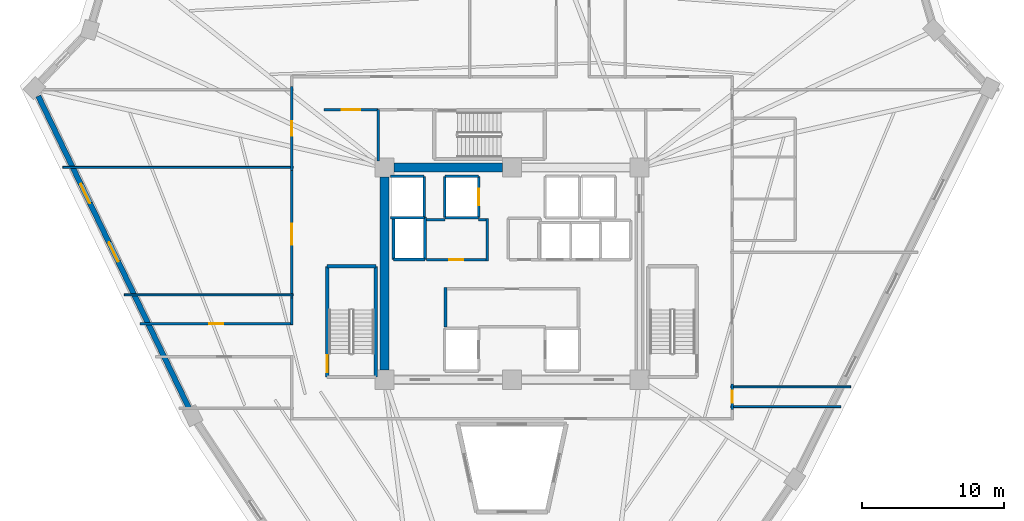
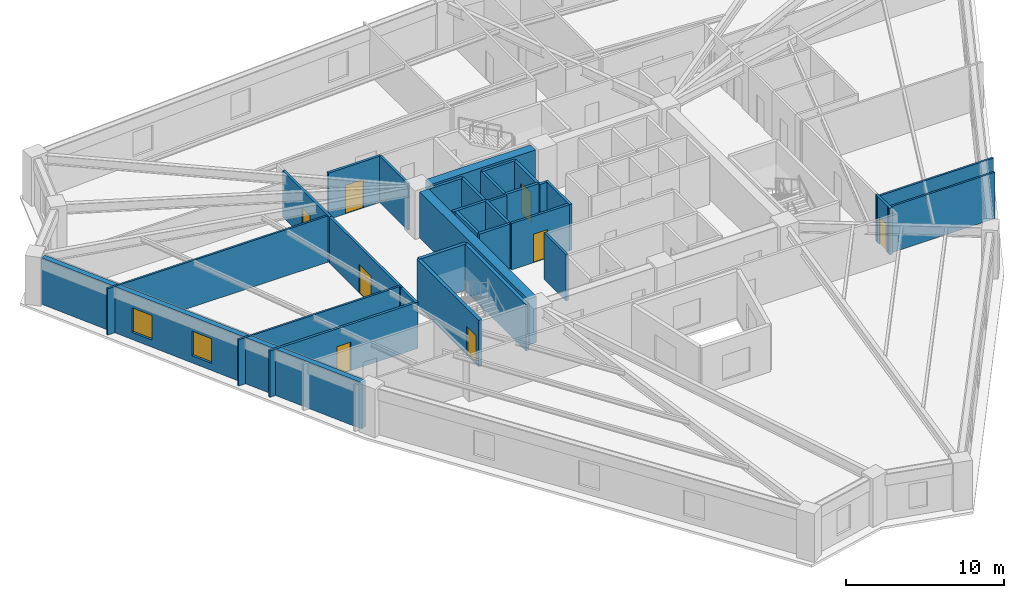
# One storey, part 4 of 8: 32 walls, 8 doors, 2 windows, 10 openings.
"""IFC4 building model written with IfcOpenShell, lengths in metres."""

from ifc_helpers import new_model, si_unit, direction, frame, frame_2d, origin, place, context, subcontext, project, spatial, rectangle, extrude, source, transform, mapped, material, layer, layer_set, type_object, element, fill, save


model = new_model("IFC4")

# Units and contexts
model_context = context("Model", 3, precision=1e-05, world=origin(), true_north=direction((0.0, 1.0)))
body_context = subcontext(model_context, "Body", "Model", "MODEL_VIEW")
ifc_project = project(units=[si_unit("LENGTHUNIT", "METRE"), si_unit("AREAUNIT", "SQUARE_METRE"), si_unit("VOLUMEUNIT", "CUBIC_METRE"), si_unit("PLANEANGLEUNIT", "RADIAN"), si_unit("MASSUNIT", "GRAM", prefix="KILO")], contexts=[model_context])

# Site, building, storey
site_placement = place(None, origin())
site = spatial("IfcSite", under=ifc_project, at=site_placement, CompositionType="ELEMENT")
building_placement = place(site_placement, origin())
building = spatial("IfcBuilding", under=site, at=building_placement, Name="Liaohun Quay Tower", CompositionType="ELEMENT")
storey_placement = place(building_placement, frame((0.0, 0.0, 209.25)))
storey = spatial("IfcBuildingStorey", under=building, at=storey_placement, Name="L54", CompositionType="ELEMENT", Elevation=209.25)

# Walls
ifc_material_1 = material(Name="Concrete C55", Category="concrete")
ifc_layer_1 = layer(ifc_material_1, 0.64990234375, Name="Concrete C55", Category="concrete")
ifc_layer_set_1 = layer_set([ifc_layer_1], Name="Concrete C55")
wall_type_1 = type_object("IfcWallType", Name="WAL-COR-Z3", PredefinedType="SHEAR", material=ifc_layer_set_1)
wall_1_placement = place(storey_placement, frame((51.675048828125, 61.5, 0.0), z_axis=(0.0, 0.0, 1.0), x_axis=(1.0, 0.0, 0.0)))
element("IfcWall", 1, at=wall_1_placement, inside=storey, type_object=wall_type_1, Name="L54 Central Core Shear Wall N-W", PredefinedType="SHEAR", context=body_context, shape_type="SweptSolid", body=[
    extrude(rectangle(XDim=7.64990234375, YDim=0.64990234375, at=frame_2d((3.824951171875, 0.0))), origin(), (0.0, 0.0, 1.0), 3.570068359375),
])
wall_2_placement = place(storey_placement, frame((51.0, 47.175048828125, 0.0), z_axis=(0.0, 0.0, 1.0), x_axis=(0.0, 1.0, 0.0)))
element("IfcWall", 2, at=wall_2_placement, inside=storey, type_object=wall_type_1, Name="L54 Central Core Shear Wall W", PredefinedType="SHEAR", context=body_context, shape_type="SweptSolid", body=[
    extrude(rectangle(XDim=13.64990234375, YDim=0.64990234375, at=frame_2d((6.824951171875, 0.0))), origin(), (0.0, 0.0, 1.0), 3.570068359375),
])

# Wall, openings, windows
ifc_material_2 = material(Name="Precast concrete C50 insulated sandwich", Category="concrete")
ifc_layer_2 = layer(ifc_material_2, 0.3798828125, Name="Precast concrete C50 insulated sandwich", Category="concrete")
ifc_layer_set_2 = layer_set([ifc_layer_2], Name="Precast concrete C50 insulated sandwich")
wall_type_2 = type_object("IfcWallType", Name="WAL-EXT-Z34", PredefinedType="SOLIDWALL", material=ifc_layer_set_2)
wall_3_placement = place(storey_placement, frame((26.52587890625, 66.549072265625, 0.0), z_axis=(0.0, 0.0, 1.0), x_axis=(0.434865153575, -0.900495584779, 0.0)))
wall_3 = element("IfcWall", 3, at=wall_3_placement, inside=storey, type_object=wall_type_2, Name="L54 Brutalist Precast Pier Wall 10", PredefinedType="SOLIDWALL", context=body_context, shape_type="SweptSolid", body=[
    extrude(rectangle(XDim=24.46533203125, YDim=0.3798828125, at=frame_2d((12.232666015625, 0.0))), origin(), (0.0, 0.0, 1.0), 3.570068359375),
])
shared_shape_1 = source(origin(), body_context, "Body", "SweptSolid", [
    extrude(rectangle(XDim=1.5, YDim=1.89990234375, at=frame_2d((0.75, 0.949951171875))), frame((0.0, 0.199951171875, 0.0), z_axis=(0.0, -1.0, 0.0), x_axis=(1.0, 0.0, 0.0)), (0.0, 0.0, 1.0), 0.39990234375),
])
opening_1_placement = place(wall_3_placement, frame((6.916015625, 0.0, 0.550048828125)))
opening_1 = element("IfcOpeningElement", 4, at=opening_1_placement, cuts=wall_3, Name="Opening W03", PredefinedType="OPENING", context=body_context, shape_type="MappedRepresentation", body=[
    mapped(shared_shape_1, transform((0.0, 0.0, 0.0), x_axis=(1.0, 0.0, 0.0), y_axis=(0.0, 1.0, 0.0), z_axis=(0.0, 0.0, 1.0), scale=1.0)),
])
opening_2_placement = place(wall_3_placement, frame((11.48291015625, 0.0, 0.550048828125)))
opening_2 = element("IfcOpeningElement", 5, at=opening_2_placement, cuts=wall_3, Name="Opening W03", PredefinedType="OPENING", context=body_context, shape_type="MappedRepresentation", body=[
    mapped(shared_shape_1, transform((0.0, 0.0, 0.0), x_axis=(1.0, 0.0, 0.0), y_axis=(0.0, 1.0, 0.0), z_axis=(0.0, 0.0, 1.0), scale=1.0)),
])
ifc_material_3 = material(Name="Triple Low-E argon glazing in thermally broken aluminium", Category="aluminium")
window_type = type_object("IfcWindowType", Name="WIN-PUN-Z3", PartitioningType="DOUBLE_PANEL_VERTICAL", PredefinedType="WINDOW", material=ifc_material_3)
shared_shape_2 = source(origin(), body_context, "Body", "SweptSolid", [
    extrude(rectangle(XDim=1.5, YDim=1.89990234375, at=frame_2d((0.75, 0.949951171875))), frame((0.0, 0.030029296875, 0.0), z_axis=(0.0, -1.0, 0.0), x_axis=(1.0, 0.0, 0.0)), (0.0, 0.0, 1.0), 0.06005859375),
])
window_1_placement = place(opening_1_placement, origin())
window_1 = element("IfcWindow", 6, at=window_1_placement, inside=storey, type_object=window_type, Name="L54 Recessed Cold-Climate Punched Window 10-1", OverallHeight=1.89990234375, OverallWidth=1.5, PartitioningType="DOUBLE_PANEL_VERTICAL", PredefinedType="WINDOW", context=body_context, shape_type="MappedRepresentation", body=[
    mapped(shared_shape_2, transform((0.0, 0.0, 0.0), x_axis=(1.0, 0.0, 0.0), y_axis=(0.0, 1.0, 0.0), z_axis=(0.0, 0.0, 1.0), scale=1.0)),
])
fill(opening_1, window_1)
window_2_placement = place(opening_2_placement, origin())
window_2 = element("IfcWindow", 7, at=window_2_placement, inside=storey, type_object=window_type, Name="L54 Recessed Cold-Climate Punched Window 10-2", OverallHeight=1.89990234375, OverallWidth=1.5, PartitioningType="DOUBLE_PANEL_VERTICAL", PredefinedType="WINDOW", context=body_context, shape_type="MappedRepresentation", body=[
    mapped(shared_shape_2, transform((0.0, 0.0, 0.0), x_axis=(1.0, 0.0, 0.0), y_axis=(0.0, 1.0, 0.0), z_axis=(0.0, 0.0, 1.0), scale=1.0)),
])
fill(opening_2, window_2)

# Wall, opening, door
ifc_material_4 = material(Name="Autoclaved aerated concrete blockwork", Category="masonry")
ifc_layer_3 = layer(ifc_material_4, 0.179931640625, Name="Autoclaved aerated concrete blockwork", Category="masonry")
ifc_layer_set_3 = layer_set([ifc_layer_3], Name="Autoclaved aerated concrete blockwork")
wall_type_3 = type_object("IfcWallType", Name="WAL-PRT-COR", PredefinedType="PARTITIONING", material=ifc_layer_set_3)
wall_4_placement = place(storey_placement, frame((53.949951171875, 54.97998046875, 0.0), z_axis=(0.0, 0.0, 1.0), x_axis=(1.0, 0.0, 0.0)))
wall_4 = element("IfcWall", 8, at=wall_4_placement, inside=storey, type_object=wall_type_3, Name="L54 Interior Partition Wall 002", PredefinedType="PARTITIONING", context=body_context, shape_type="SweptSolid", body=[
    extrude(rectangle(XDim=4.2099609375, YDim=0.179931640625, at=frame_2d((2.10498046875, 0.0))), origin(), (0.0, 0.0, 1.0), 3.570068359375),
])
shared_shape_3 = source(origin(), body_context, "Body", "SweptSolid", [
    extrude(rectangle(XDim=1.0, YDim=2.199951171875, at=frame_2d((0.5, 1.10009765625))), frame((0.0, 0.099853515625, 0.0), z_axis=(0.0, -1.0, 0.0), x_axis=(1.0, 0.0, 0.0)), (0.0, 0.0, 1.0), 0.199951171875),
])
opening_3_placement = place(wall_4_placement, frame((1.60009765625, 0.0, 0.0)))
opening_3 = element("IfcOpeningElement", 9, at=opening_3_placement, cuts=wall_4, Name="Opening OD1", PredefinedType="OPENING", context=body_context, shape_type="MappedRepresentation", body=[
    mapped(shared_shape_3, transform((0.0, 0.0, 0.0), x_axis=(1.0, 0.0, 0.0), y_axis=(0.0, 1.0, 0.0), z_axis=(0.0, 0.0, 1.0), scale=1.0)),
])
ifc_material_5 = material(Name="Solid-core oak veneer timber leaf in steel frame", Category="steel")
door_type_1 = type_object("IfcDoorType", Name="DOR-OFF-1000", OperationType="NOTDEFINED", PredefinedType="DOOR", material=ifc_material_5)
shared_shape_4 = source(origin(), body_context, "Body", "SweptSolid", [
    extrude(rectangle(XDim=1.0, YDim=2.199951171875, at=frame_2d((0.5, 1.10009765625))), frame((0.0, 0.02490234375, 0.0), z_axis=(0.0, -1.0, 0.0), x_axis=(1.0, 0.0, 0.0)), (0.0, 0.0, 1.0), 0.050048828125),
])
door_1_placement = place(opening_3_placement, origin())
door_1 = element("IfcDoor", 10, at=door_1_placement, inside=storey, type_object=door_type_1, Name="L54 Core Staff Pantry and Tea Room Door", OperationType="SINGLE_SWING_LEFT", OverallHeight=2.199951171875, OverallWidth=1.0, PredefinedType="DOOR", context=body_context, shape_type="MappedRepresentation", body=[
    mapped(shared_shape_4, transform((0.0, 0.0, 0.0), x_axis=(1.0, 0.0, 0.0), y_axis=(0.0, 1.0, 0.0), z_axis=(0.0, 0.0, 1.0), scale=1.0)),
])
fill(opening_3, door_1)

wall_5_placement = place(storey_placement, frame((46.699951171875, 65.580078125, 0.0), z_axis=(0.0, 0.0, 1.0), x_axis=(1.0, 0.0, 0.0)))
wall_5 = element("IfcWall", 11, at=wall_5_placement, inside=storey, type_object=wall_type_3, Name="L54 Interior Partition Wall 009", PredefinedType="PARTITIONING", context=body_context, shape_type="SweptSolid", body=[
    extrude(rectangle(XDim=3.840087890625, YDim=0.179931640625, at=frame_2d((1.919921875, 0.0))), origin(), (0.0, 0.0, 1.0), 3.570068359375),
])
shared_shape_5 = source(origin(), body_context, "Body", "SweptSolid", [
    extrude(rectangle(XDim=1.300048828125, YDim=2.199951171875, at=frame_2d((0.64990234375, 1.10009765625))), frame((0.0, 0.099853515625, 0.0), z_axis=(0.0, -1.0, 0.0), x_axis=(1.0, 0.0, 0.0)), (0.0, 0.0, 1.0), 0.199951171875),
])
opening_4_placement = place(wall_5_placement, frame((1.27001953125, 0.0, 0.0)))
opening_4 = element("IfcOpeningElement", 12, at=opening_4_placement, cuts=wall_5, Name="Opening FD1", PredefinedType="OPENING", context=body_context, shape_type="MappedRepresentation", body=[
    mapped(shared_shape_5, transform((0.0, 0.0, 0.0), x_axis=(1.0, 0.0, 0.0), y_axis=(0.0, 1.0, 0.0), z_axis=(0.0, 0.0, 1.0), scale=1.0)),
])
ifc_material_6 = material(Name="Galvanised steel smokeproof fire door", Category="steel")
door_type_2 = type_object("IfcDoorType", Name="DOR-FFL-1300", OperationType="NOTDEFINED", PredefinedType="DOOR", material=ifc_material_6)
shared_shape_6 = source(origin(), body_context, "Body", "SweptSolid", [
    extrude(rectangle(XDim=1.300048828125, YDim=2.199951171875, at=frame_2d((0.64990234375, 1.10009765625))), frame((0.0, 0.02490234375, 0.0), z_axis=(0.0, -1.0, 0.0), x_axis=(1.0, 0.0, 0.0)), (0.0, 0.0, 1.0), 0.050048828125),
])
door_2_placement = place(opening_4_placement, origin())
door_2 = element("IfcDoor", 13, at=door_2_placement, inside=storey, type_object=door_type_2, Name="L54 West Core Vestibule Door", OperationType="SINGLE_SWING_RIGHT", OverallHeight=2.199951171875, OverallWidth=1.300048828125, PredefinedType="DOOR", context=body_context, shape_type="MappedRepresentation", body=[
    mapped(shared_shape_6, transform((0.0, 0.0, 0.0), x_axis=(1.0, 0.0, 0.0), y_axis=(0.0, 1.0, 0.0), z_axis=(0.0, 0.0, 1.0), scale=1.0)),
])
fill(opening_4, door_2)

wall_6_placement = place(storey_placement, frame((44.43994140625, 61.284912109375, 0.0), z_axis=(0.0, 0.0, 1.0), x_axis=(0.0, 1.0, 0.0)))
wall_6 = element("IfcWall", 14, at=wall_6_placement, inside=storey, type_object=wall_type_3, Name="L54 Interior Partition Wall 016", PredefinedType="PARTITIONING", context=body_context, shape_type="SweptSolid", body=[
    extrude(rectangle(XDim=5.93017578125, YDim=0.179931640625, at=frame_2d((2.965087890625, 0.0))), origin(), (0.0, 0.0, 1.0), 3.570068359375),
])
opening_5_placement = place(wall_6_placement, frame((2.465087890625, 0.0, 0.0)))
opening_5 = element("IfcOpeningElement", 15, at=opening_5_placement, cuts=wall_6, Name="Opening OD1", PredefinedType="OPENING", context=body_context, shape_type="MappedRepresentation", body=[
    mapped(shared_shape_3, transform((0.0, 0.0, 0.0), x_axis=(1.0, 0.0, 0.0), y_axis=(0.0, 1.0, 0.0), z_axis=(0.0, 0.0, 1.0), scale=1.0)),
])
door_3_placement = place(opening_5_placement, origin())
door_3 = element("IfcDoor", 16, at=door_3_placement, inside=storey, type_object=door_type_1, Name="L54 Staff Tea Kitchen and Pantry 06 Door", OperationType="SINGLE_SWING_LEFT", OverallHeight=2.199951171875, OverallWidth=1.0, PredefinedType="DOOR", context=body_context, shape_type="MappedRepresentation", body=[
    mapped(shared_shape_4, transform((0.0, 0.0, 0.0), x_axis=(1.0, 0.0, 0.0), y_axis=(0.0, 1.0, 0.0), z_axis=(0.0, 0.0, 1.0), scale=1.0)),
])
fill(opening_5, door_3)

wall_7_placement = place(storey_placement, frame((44.43994140625, 52.284912109375, 0.0), z_axis=(0.0, 0.0, 1.0), x_axis=(0.0, 1.0, 0.0)))
wall_7 = element("IfcWall", 17, at=wall_7_placement, inside=storey, type_object=wall_type_3, Name="L54 Interior Partition Wall 017", PredefinedType="PARTITIONING", context=body_context, shape_type="SweptSolid", body=[
    extrude(rectangle(XDim=9.0, YDim=0.179931640625, at=frame_2d((4.5, 0.0))), origin(), (0.0, 0.0, 1.0), 3.570068359375),
])
shared_shape_7 = source(origin(), body_context, "Body", "SweptSolid", [
    extrude(rectangle(XDim=1.5, YDim=2.199951171875, at=frame_2d((0.75, 1.10009765625))), frame((0.0, 0.099853515625, 0.0), z_axis=(0.0, -1.0, 0.0), x_axis=(1.0, 0.0, 0.0)), (0.0, 0.0, 1.0), 0.199951171875),
])
opening_6_placement = place(wall_7_placement, frame((3.75, 0.0, 0.0)))
opening_6 = element("IfcOpeningElement", 18, at=opening_6_placement, cuts=wall_7, Name="Opening OD2", PredefinedType="OPENING", context=body_context, shape_type="MappedRepresentation", body=[
    mapped(shared_shape_7, transform((0.0, 0.0, 0.0), x_axis=(1.0, 0.0, 0.0), y_axis=(0.0, 1.0, 0.0), z_axis=(0.0, 0.0, 1.0), scale=1.0)),
])
ifc_material_7 = material(Name="Acoustic oak veneer double door")
door_type_3 = type_object("IfcDoorType", Name="DOR-OFF-1500", OperationType="DOUBLE_DOOR_SINGLE_SWING", PredefinedType="DOOR", material=ifc_material_7)
shared_shape_8 = source(origin(), body_context, "Body", "SweptSolid", [
    extrude(rectangle(XDim=1.5, YDim=2.199951171875, at=frame_2d((0.75, 1.10009765625))), frame((0.0, 0.02490234375, 0.0), z_axis=(0.0, -1.0, 0.0), x_axis=(1.0, 0.0, 0.0)), (0.0, 0.0, 1.0), 0.050048828125),
])
door_4_placement = place(opening_6_placement, origin())
door_4 = element("IfcDoor", 19, at=door_4_placement, inside=storey, type_object=door_type_3, Name="L54 Staff Daycare Nursery 07 Door", OperationType="DOUBLE_DOOR_SINGLE_SWING", OverallHeight=2.199951171875, OverallWidth=1.5, PredefinedType="DOOR", context=body_context, shape_type="MappedRepresentation", body=[
    mapped(shared_shape_8, transform((0.0, 0.0, 0.0), x_axis=(1.0, 0.0, 0.0), y_axis=(0.0, 1.0, 0.0), z_axis=(0.0, 0.0, 1.0), scale=1.0)),
])
fill(opening_6, door_4)

wall_8_placement = place(storey_placement, frame((33.7041015625, 50.4599609375, 0.0), z_axis=(0.0, 0.0, 1.0), x_axis=(1.0, 0.0, 0.0)))
wall_8 = element("IfcWall", 20, at=wall_8_placement, inside=storey, type_object=wall_type_3, Name="L54 Interior Partition Wall 018", PredefinedType="PARTITIONING", context=body_context, shape_type="SweptSolid", body=[
    extrude(rectangle(XDim=10.805908203125, YDim=0.179931640625, at=frame_2d((5.40283203125, 0.0))), origin(), (0.0, 0.0, 1.0), 3.570068359375),
])
opening_7_placement = place(wall_8_placement, frame((4.903076171875, 0.0, 0.0)))
opening_7 = element("IfcOpeningElement", 21, at=opening_7_placement, cuts=wall_8, Name="Opening OD1", PredefinedType="OPENING", context=body_context, shape_type="MappedRepresentation", body=[
    mapped(shared_shape_3, transform((0.0, 0.0, 0.0), x_axis=(1.0, 0.0, 0.0), y_axis=(0.0, 1.0, 0.0), z_axis=(0.0, 0.0, 1.0), scale=1.0)),
])
door_5_placement = place(opening_7_placement, origin())
door_5 = element("IfcDoor", 22, at=door_5_placement, inside=storey, type_object=door_type_1, Name="L54 Occupational Wellness Clinic 08 Door", OperationType="SINGLE_SWING_LEFT", OverallHeight=2.199951171875, OverallWidth=1.0, PredefinedType="DOOR", context=body_context, shape_type="MappedRepresentation", body=[
    mapped(shared_shape_4, transform((0.0, 0.0, 0.0), x_axis=(1.0, 0.0, 0.0), y_axis=(0.0, 1.0, 0.0), z_axis=(0.0, 0.0, 1.0), scale=1.0)),
])
fill(opening_7, door_5)

wall_9_placement = place(storey_placement, frame((75.56005859375, 46.215087890625, 0.0), z_axis=(0.0, 0.0, 1.0), x_axis=(0.0, -1.0, 0.0)))
wall_9 = element("IfcWall", 23, at=wall_9_placement, inside=storey, type_object=wall_type_3, Name="L54 Interior Partition Wall 021", PredefinedType="PARTITIONING", context=body_context, shape_type="SweptSolid", body=[
    extrude(rectangle(XDim=1.830078125, YDim=0.179931640625, at=frame_2d((0.9150390625, 0.0))), origin(), (0.0, 0.0, 1.0), 3.570068359375),
])
shared_shape_9 = source(origin(), body_context, "Body", "SweptSolid", [
    extrude(rectangle(XDim=0.85009765625, YDim=2.10009765625, at=frame_2d((0.425048828125, 1.050048828125))), frame((0.0, 0.099853515625, 0.0), z_axis=(0.0, -1.0, 0.0), x_axis=(1.0, 0.0, 0.0)), (0.0, 0.0, 1.0), 0.199951171875),
])
opening_8_placement = place(wall_9_placement, frame((0.489990234375, 0.0, 0.0)))
opening_8 = element("IfcOpeningElement", 24, at=opening_8_placement, cuts=wall_9, Name="Opening AD1", PredefinedType="OPENING", context=body_context, shape_type="MappedRepresentation", body=[
    mapped(shared_shape_9, transform((0.0, 0.0, 0.0), x_axis=(1.0, 0.0, 0.0), y_axis=(0.0, 1.0, 0.0), z_axis=(0.0, 0.0, 1.0), scale=1.0)),
])
ifc_material_8 = material(Name="Steel riser inspection fire door", Category="steel")
door_type_4 = type_object("IfcDoorType", Name="DOR-SHF-850", OperationType="NOTDEFINED", PredefinedType="DOOR", material=ifc_material_8)
shared_shape_10 = source(origin(), body_context, "Body", "SweptSolid", [
    extrude(rectangle(XDim=0.85009765625, YDim=2.10009765625, at=frame_2d((0.425048828125, 1.050048828125))), frame((0.0, 0.02490234375, 0.0), z_axis=(0.0, -1.0, 0.0), x_axis=(1.0, 0.0, 0.0)), (0.0, 0.0, 1.0), 0.050048828125),
])
door_6_placement = place(opening_8_placement, origin())
door_6 = element("IfcDoor", 25, at=door_6_placement, inside=storey, type_object=door_type_4, Name="L54 Executive Partner Office 11 Door", OperationType="SINGLE_SWING_RIGHT", OverallHeight=2.10009765625, OverallWidth=0.85009765625, PredefinedType="DOOR", context=body_context, shape_type="MappedRepresentation", body=[
    mapped(shared_shape_10, transform((0.0, 0.0, 0.0), x_axis=(1.0, 0.0, 0.0), y_axis=(0.0, 1.0, 0.0), z_axis=(0.0, 0.0, 1.0), scale=1.0)),
])
fill(opening_8, door_6)

# Walls
wall_10_placement = place(storey_placement, frame((50.5400390625, 61.949951171875, 0.0), z_axis=(0.0, 0.0, 1.0), x_axis=(0.0, 1.0, 0.0)))
element("IfcWall", 26, at=wall_10_placement, inside=storey, type_object=wall_type_3, Name="L54 Interior Partition Wall 031", PredefinedType="PARTITIONING", context=body_context, shape_type="SweptSolid", body=[
    extrude(rectangle(XDim=3.630126953125, YDim=0.179931640625, at=frame_2d((1.81494140625, 0.0))), origin(), (0.0, 0.0, 1.0), 3.570068359375),
])
wall_11_placement = place(storey_placement, frame((44.43994140625, 50.389892578125, 0.0), z_axis=(0.0, 0.0, 1.0), x_axis=(0.0, 1.0, 0.0)))
element("IfcWall", 27, at=wall_11_placement, inside=storey, type_object=wall_type_3, Name="L54 Interior Partition Wall 038", PredefinedType="PARTITIONING", context=body_context, shape_type="SweptSolid", body=[
    extrude(rectangle(XDim=1.89501953125, YDim=0.179931640625, at=frame_2d((0.947509765625, 0.0))), origin(), (0.0, 0.0, 1.0), 3.570068359375),
])
wall_12_placement = place(storey_placement, frame((55.300048828125, 50.219970703125, 0.0), z_axis=(0.0, 0.0, 1.0), x_axis=(0.0, 1.0, 0.0)))
element("IfcWall", 28, at=wall_12_placement, inside=storey, type_object=wall_type_3, Name="L54 Interior Partition Wall 052", PredefinedType="PARTITIONING", context=body_context, shape_type="SweptSolid", body=[
    extrude(rectangle(XDim=2.7900390625, YDim=0.179931640625, at=frame_2d((1.39501953125, 0.0))), origin(), (0.0, 0.0, 1.0), 3.570068359375),
])
wall_13_placement = place(storey_placement, frame((58.25, 54.889892578125, 0.0), z_axis=(0.0, 0.0, 1.0), x_axis=(0.0, 1.0, 0.0)))
element("IfcWall", 29, at=wall_13_placement, inside=storey, type_object=wall_type_3, Name="L54 Interior Partition Wall 055", PredefinedType="PARTITIONING", context=body_context, shape_type="SweptSolid", body=[
    extrude(rectangle(XDim=3.02001953125, YDim=0.179931640625, at=frame_2d((1.510009765625, 0.0))), origin(), (0.0, 0.0, 1.0), 3.570068359375),
])
wall_14_placement = place(storey_placement, frame((53.949951171875, 57.820068359375, 0.0), z_axis=(0.0, 0.0, 1.0), x_axis=(1.0, 0.0, 0.0)))
element("IfcWall", 30, at=wall_14_placement, inside=storey, type_object=wall_type_3, Name="L54 Interior Partition Wall 056", PredefinedType="PARTITIONING", context=body_context, shape_type="SweptSolid", body=[
    extrude(rectangle(XDim=1.300048828125, YDim=0.179931640625, at=frame_2d((0.64990234375, 0.0))), origin(), (0.0, 0.0, 1.0), 3.570068359375),
])
wall_15_placement = place(storey_placement, frame((57.64990234375, 57.820068359375, 0.0), z_axis=(0.0, 0.0, 1.0), x_axis=(1.0, 0.0, 0.0)))
element("IfcWall", 31, at=wall_15_placement, inside=storey, type_object=wall_type_3, Name="L54 Interior Partition Wall 057", PredefinedType="PARTITIONING", context=body_context, shape_type="SweptSolid", body=[
    extrude(rectangle(XDim=0.510009765625, YDim=0.179931640625, at=frame_2d((0.2548828125, 0.0))), origin(), (0.0, 0.0, 1.0), 3.570068359375),
])
ifc_material_9 = material(Name="Gypsum board on twin steel studs", Category="steel")
ifc_layer_4 = layer(ifc_material_9, 0.139892578125, Name="Gypsum board on twin steel studs", Category="steel")
ifc_layer_set_4 = layer_set([ifc_layer_4], Name="Gypsum board on twin steel studs")
wall_type_4 = type_object("IfcWallType", Name="WAL-PRT-OFF", PredefinedType="PARTITIONING", material=ifc_layer_set_4)
wall_16_placement = place(storey_placement, frame((44.5400390625, 52.5, 0.0), z_axis=(0.0, 0.0, 1.0), x_axis=(-1.0, 0.0, 0.0)))
element("IfcWall", 32, at=wall_16_placement, inside=storey, type_object=wall_type_4, Name="L54 Interior Partition Wall 043", PredefinedType="PARTITIONING", context=body_context, shape_type="SweptSolid", body=[
    extrude(rectangle(XDim=11.928955078125, YDim=0.139892578125, at=frame_2d((5.96435546875, 0.0))), origin(), (0.0, 0.0, 1.0), 3.570068359375),
])
wall_17_placement = place(storey_placement, frame((44.5400390625, 61.5, 0.0), z_axis=(0.0, 0.0, 1.0), x_axis=(-1.0, 0.0, 0.0)))
element("IfcWall", 33, at=wall_17_placement, inside=storey, type_object=wall_type_4, Name="L54 Interior Partition Wall 044", PredefinedType="PARTITIONING", context=body_context, shape_type="SweptSolid", body=[
    extrude(rectangle(XDim=16.275146484375, YDim=0.139892578125, at=frame_2d((8.1376953125, 0.0))), origin(), (0.0, 0.0, 1.0), 3.570068359375),
])
wall_18_placement = place(storey_placement, frame((75.4599609375, 44.60009765625, 0.0), z_axis=(0.0, 0.0, 1.0), x_axis=(1.0, 0.0, 0.0)))
element("IfcWall", 34, at=wall_18_placement, inside=storey, type_object=wall_type_4, Name="L54 Interior Partition Wall 046", PredefinedType="PARTITIONING", context=body_context, shape_type="SweptSolid", body=[
    extrude(rectangle(XDim=7.77099609375, YDim=0.139892578125, at=frame_2d((3.885498046875, 0.0))), origin(), (0.0, 0.0, 1.0), 3.570068359375),
])
wall_19_placement = place(storey_placement, frame((75.4599609375, 46.0, 0.0), z_axis=(0.0, 0.0, 1.0), x_axis=(1.0, 0.0, 0.0)))
element("IfcWall", 35, at=wall_19_placement, inside=storey, type_object=wall_type_4, Name="L54 Interior Partition Wall 047", PredefinedType="PARTITIONING", context=body_context, shape_type="SweptSolid", body=[
    extrude(rectangle(XDim=8.468017578125, YDim=0.139892578125, at=frame_2d((4.23388671875, 0.0))), origin(), (0.0, 0.0, 1.0), 3.570068359375),
])
ifc_material_10 = material(Name="Concrete C50", Category="concrete")
ifc_layer_5 = layer(ifc_material_10, 0.239990234375, Name="Concrete C50", Category="concrete")
ifc_layer_set_5 = layer_set([ifc_layer_5], Name="Concrete C50")
wall_type_5 = type_object("IfcWallType", Name="WAL-SHF-200", PredefinedType="SOLIDWALL", material=ifc_layer_set_5)
wall_20_placement = place(storey_placement, frame((50.3798828125, 46.699951171875, 0.0), z_axis=(0.0, 0.0, 1.0), x_axis=(0.0, 1.0, 0.0)))
element("IfcWall", 36, at=wall_20_placement, inside=storey, type_object=wall_type_5, Name="L54 Stairwell ST-1 Structural Core Wall E", PredefinedType="SOLIDWALL", context=body_context, shape_type="SweptSolid", body=[
    extrude(rectangle(XDim=7.820068359375, YDim=0.239990234375, at=frame_2d((3.91015625, 0.0))), origin(), (0.0, 0.0, 1.0), 3.570068359375),
])
wall_21_placement = place(storey_placement, frame((50.3798828125, 54.52001953125, 0.0), z_axis=(0.0, 0.0, 1.0), x_axis=(-1.0, 0.0, 0.0)))
element("IfcWall", 37, at=wall_21_placement, inside=storey, type_object=wall_type_5, Name="L54 Stairwell ST-1 Structural Core Wall N", PredefinedType="SOLIDWALL", context=body_context, shape_type="SweptSolid", body=[
    extrude(rectangle(XDim=3.43994140625, YDim=0.239990234375, at=frame_2d((1.719970703125, 0.0))), origin(), (0.0, 0.0, 1.0), 3.570068359375),
])

# Wall, opening, door
wall_22_placement = place(storey_placement, frame((46.93994140625, 54.52001953125, 0.0), z_axis=(0.0, 0.0, 1.0), x_axis=(0.0, -1.0, 0.0)))
wall_22 = element("IfcWall", 38, at=wall_22_placement, inside=storey, type_object=wall_type_5, Name="L54 Stairwell ST-1 Structural Core Wall W", PredefinedType="SOLIDWALL", context=body_context, shape_type="SweptSolid", body=[
    extrude(rectangle(XDim=7.820068359375, YDim=0.239990234375, at=frame_2d((3.91015625, 0.0))), origin(), (0.0, 0.0, 1.0), 3.570068359375),
])
shared_shape_11 = source(origin(), body_context, "Body", "SweptSolid", [
    extrude(rectangle(XDim=1.199951171875, YDim=2.199951171875, at=frame_2d((0.60009765625, 1.10009765625))), frame((0.0, 0.1298828125, 0.0), z_axis=(0.0, -1.0, 0.0), x_axis=(1.0, 0.0, 0.0)), (0.0, 0.0, 1.0), 0.260009765625),
])
opening_9_placement = place(wall_22_placement, frame((6.300048828125, 0.0, 0.0)))
opening_9 = element("IfcOpeningElement", 39, at=opening_9_placement, cuts=wall_22, Name="Opening SD1", PredefinedType="OPENING", context=body_context, shape_type="MappedRepresentation", body=[
    mapped(shared_shape_11, transform((0.0, 0.0, 0.0), x_axis=(1.0, 0.0, 0.0), y_axis=(0.0, 1.0, 0.0), z_axis=(0.0, 0.0, 1.0), scale=1.0)),
])
ifc_material_11 = material(Name="Galvanised steel fire door", Category="steel")
door_type_5 = type_object("IfcDoorType", Name="DOR-STR-1200", OperationType="NOTDEFINED", PredefinedType="DOOR", material=ifc_material_11)
shared_shape_12 = source(origin(), body_context, "Body", "SweptSolid", [
    extrude(rectangle(XDim=1.199951171875, YDim=2.199951171875, at=frame_2d((0.60009765625, 1.10009765625))), frame((0.0, 0.02490234375, 0.0), z_axis=(0.0, -1.0, 0.0), x_axis=(1.0, 0.0, 0.0)), (0.0, 0.0, 1.0), 0.050048828125),
])
door_7_placement = place(opening_9_placement, origin())
door_7 = element("IfcDoor", 40, at=door_7_placement, inside=storey, type_object=door_type_5, Name="L54 Protected Stair ST-1 Fire Door", OperationType="SINGLE_SWING_LEFT", OverallHeight=2.199951171875, OverallWidth=1.199951171875, PredefinedType="DOOR", context=body_context, shape_type="MappedRepresentation", body=[
    mapped(shared_shape_12, transform((0.0, 0.0, 0.0), x_axis=(1.0, 0.0, 0.0), y_axis=(0.0, 1.0, 0.0), z_axis=(0.0, 0.0, 1.0), scale=1.0)),
])
fill(opening_9, door_7)

# Wall
wall_23_placement = place(storey_placement, frame((55.25, 57.949951171875, 0.0), z_axis=(0.0, 0.0, 1.0), x_axis=(1.0, 0.0, 0.0)))
element("IfcWall", 41, at=wall_23_placement, inside=storey, type_object=wall_type_5, Name="L54 Lift FF-03 Hoistway Wall S", PredefinedType="SOLIDWALL", context=body_context, shape_type="SweptSolid", body=[
    extrude(rectangle(XDim=2.39990234375, YDim=0.199951171875, at=frame_2d((1.199951171875, 0.0))), origin(), (0.0, 0.0, 1.0), 3.570068359375),
])

# Wall, opening, door
wall_24_placement = place(storey_placement, frame((57.64990234375, 57.949951171875, 0.0), z_axis=(0.0, 0.0, 1.0), x_axis=(0.0, 1.0, 0.0)))
wall_24 = element("IfcWall", 42, at=wall_24_placement, inside=storey, type_object=wall_type_5, Name="L54 Lift FF-03 Hoistway Wall E", PredefinedType="SOLIDWALL", context=body_context, shape_type="SweptSolid", body=[
    extrude(rectangle(XDim=2.929931640625, YDim=0.199951171875, at=frame_2d((1.46484375, 0.0))), origin(), (0.0, 0.0, 1.0), 3.570068359375),
])
shared_shape_13 = source(origin(), body_context, "Body", "SweptSolid", [
    extrude(rectangle(XDim=1.199951171875, YDim=2.300048828125, at=frame_2d((0.60009765625, 1.14990234375))), frame((0.0, 0.10986328125, 0.0), z_axis=(0.0, -1.0, 0.0), x_axis=(1.0, 0.0, 0.0)), (0.0, 0.0, 1.0), 0.219970703125),
])
opening_10_placement = place(wall_24_placement, frame((0.864990234375, 0.0, 0.0)))
opening_10 = element("IfcOpeningElement", 43, at=opening_10_placement, cuts=wall_24, Name="Opening LD2", PredefinedType="OPENING", context=body_context, shape_type="MappedRepresentation", body=[
    mapped(shared_shape_13, transform((0.0, 0.0, 0.0), x_axis=(1.0, 0.0, 0.0), y_axis=(0.0, 1.0, 0.0), z_axis=(0.0, 0.0, 1.0), scale=1.0)),
])
ifc_material_12 = material(Name="Brushed stainless steel stretcher landing door", Category="steel")
door_type_6 = type_object("IfcDoorType", Name="DOR-LFT-1200", OperationType="SLIDING_TO_LEFT", PredefinedType="DOOR", material=ifc_material_12)
shared_shape_14 = source(origin(), body_context, "Body", "SweptSolid", [
    extrude(rectangle(XDim=1.199951171875, YDim=2.300048828125, at=frame_2d((0.60009765625, 1.14990234375))), frame((0.0, 0.02490234375, 0.0), z_axis=(0.0, -1.0, 0.0), x_axis=(1.0, 0.0, 0.0)), (0.0, 0.0, 1.0), 0.050048828125),
])
door_8_placement = place(opening_10_placement, origin())
door_8 = element("IfcDoor", 44, at=door_8_placement, inside=storey, type_object=door_type_6, Name="L54 Lift FF-03 Sliding Landing Door", OperationType="SLIDING_TO_LEFT", OverallHeight=2.300048828125, OverallWidth=1.199951171875, PredefinedType="DOOR", context=body_context, shape_type="MappedRepresentation", body=[
    mapped(shared_shape_14, transform((0.0, 0.0, 0.0), x_axis=(1.0, 0.0, 0.0), y_axis=(0.0, 1.0, 0.0), z_axis=(0.0, 0.0, 1.0), scale=1.0)),
])
fill(opening_10, door_8)

# Walls
wall_25_placement = place(storey_placement, frame((57.64990234375, 60.8798828125, 0.0), z_axis=(0.0, 0.0, 1.0), x_axis=(-1.0, 0.0, 0.0)))
element("IfcWall", 45, at=wall_25_placement, inside=storey, type_object=wall_type_5, Name="L54 Lift FF-03 Hoistway Wall N", PredefinedType="SOLIDWALL", context=body_context, shape_type="SweptSolid", body=[
    extrude(rectangle(XDim=2.39990234375, YDim=0.199951171875, at=frame_2d((1.199951171875, 0.0))), origin(), (0.0, 0.0, 1.0), 3.570068359375),
])
wall_26_placement = place(storey_placement, frame((55.25, 60.8798828125, 0.0), z_axis=(0.0, 0.0, 1.0), x_axis=(0.0, -1.0, 0.0)))
element("IfcWall", 46, at=wall_26_placement, inside=storey, type_object=wall_type_5, Name="L54 Lift FF-03 Hoistway Wall W", PredefinedType="SOLIDWALL", context=body_context, shape_type="SweptSolid", body=[
    extrude(rectangle(XDim=2.929931640625, YDim=0.199951171875, at=frame_2d((1.46484375, 0.0))), origin(), (0.0, 0.0, 1.0), 3.570068359375),
])
wall_27_placement = place(storey_placement, frame((51.39990234375, 57.949951171875, 0.0), z_axis=(0.0, 0.0, 1.0), x_axis=(1.0, 0.0, 0.0)))
element("IfcWall", 47, at=wall_27_placement, inside=storey, type_object=wall_type_5, Name="L54 Lift SH-01 Hoistway Wall S", PredefinedType="SOLIDWALL", context=body_context, shape_type="SweptSolid", body=[
    extrude(rectangle(XDim=2.400146484375, YDim=0.199951171875, at=frame_2d((1.2001953125, 0.0))), origin(), (0.0, 0.0, 1.0), 3.570068359375),
])
wall_28_placement = place(storey_placement, frame((53.800048828125, 57.949951171875, 0.0), z_axis=(0.0, 0.0, 1.0), x_axis=(0.0, 1.0, 0.0)))
element("IfcWall", 48, at=wall_28_placement, inside=storey, type_object=wall_type_5, Name="L54 Lift SH-01 Hoistway Wall E", PredefinedType="SOLIDWALL", context=body_context, shape_type="SweptSolid", body=[
    extrude(rectangle(XDim=2.929931640625, YDim=0.199951171875, at=frame_2d((1.46484375, 0.0))), origin(), (0.0, 0.0, 1.0), 3.570068359375),
])
wall_29_placement = place(storey_placement, frame((53.800048828125, 60.8798828125, 0.0), z_axis=(0.0, 0.0, 1.0), x_axis=(-1.0, 0.0, 0.0)))
element("IfcWall", 49, at=wall_29_placement, inside=storey, type_object=wall_type_5, Name="L54 Lift SH-01 Hoistway Wall N", PredefinedType="SOLIDWALL", context=body_context, shape_type="SweptSolid", body=[
    extrude(rectangle(XDim=2.400146484375, YDim=0.199951171875, at=frame_2d((1.2001953125, 0.0))), origin(), (0.0, 0.0, 1.0), 3.570068359375),
])
wall_30_placement = place(storey_placement, frame((51.6201171875, 55.0, 0.0), z_axis=(0.0, 0.0, 1.0), x_axis=(1.0, 0.0, 0.0)))
element("IfcWall", 50, at=wall_30_placement, inside=storey, type_object=wall_type_5, Name="L54 Lift SH-02 Hoistway Wall S", PredefinedType="SOLIDWALL", context=body_context, shape_type="SweptSolid", body=[
    extrude(rectangle(XDim=2.22998046875, YDim=0.199951171875, at=frame_2d((1.114990234375, 0.0))), origin(), (0.0, 0.0, 1.0), 3.570068359375),
])
for number, where, z_axis, x_axis, name in (
    (51, (53.85009765625, 55.0, 0.0), (0.0, 0.0, 1.0), (0.0, 1.0, 0.0), "L54 Lift SH-02 Hoistway Wall E"),
    (52, (51.6201171875, 58.0, 0.0), (0.0, 0.0, 1.0), (0.0, -1.0, 0.0), "L54 Lift SH-02 Hoistway Wall W"),
):
    element("IfcWall", number, at=place(storey_placement, frame(where, z_axis=z_axis, x_axis=x_axis)), inside=storey, type_object=wall_type_5, Name=name, PredefinedType="SOLIDWALL", context=body_context, shape_type="SweptSolid", body=[
        extrude(rectangle(XDim=3.0, YDim=0.199951171875, at=frame_2d((1.5, 0.0))), origin(), (0.0, 0.0, 1.0), 3.570068359375),
    ])

save(model, "model.ifc")
